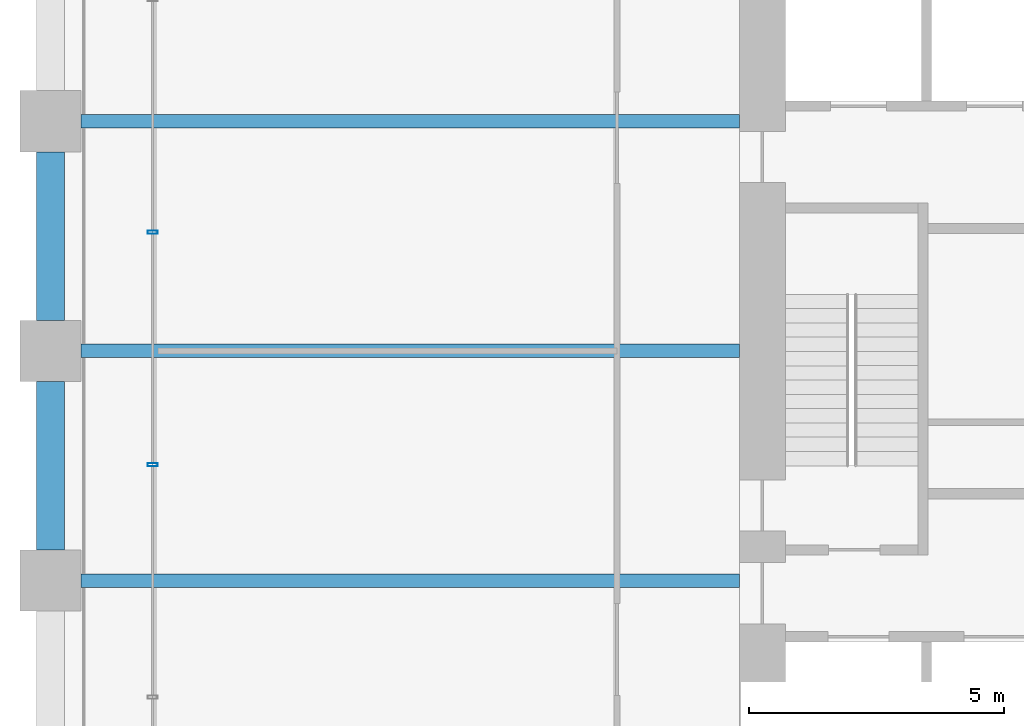
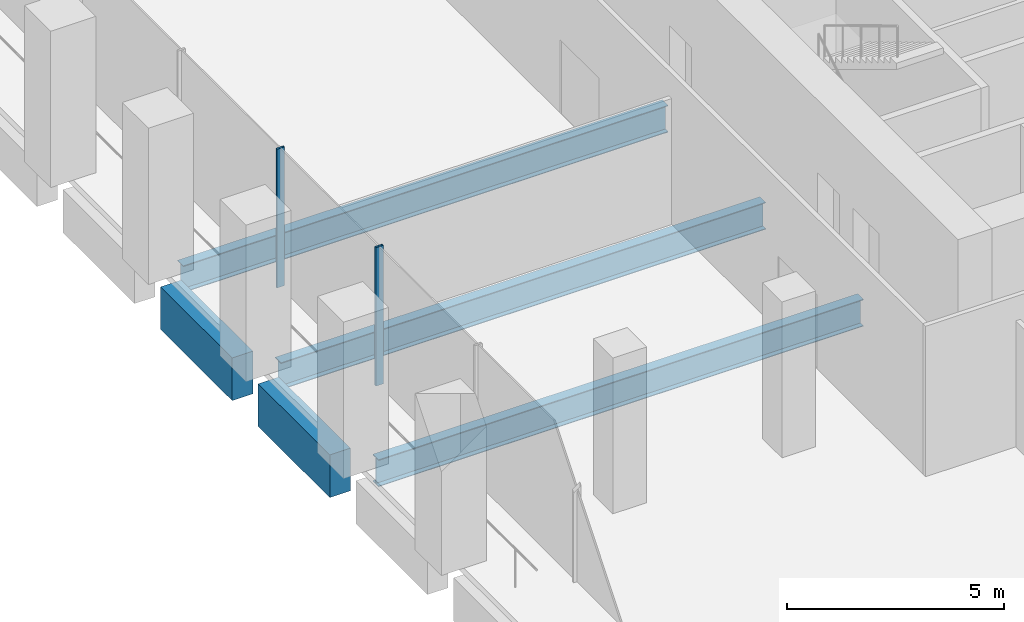
# One storey, part 7 of 36: 5 beams, 2 members, 1 element without a shape of its own.
"""IFC4 building model written with IfcOpenShell, lengths in metres."""

from ifc_helpers import new_model, si_unit, direction, frame, origin, origin_2d, place, context, subcontext, project, spatial, rectangle, hollow_rectangle, i_section, extrude, material, material_profile, profile_set, type_object, element, aggregate, save


model = new_model("IFC4")

# Units and contexts
model_context = context("Model", 3, precision=1e-05, world=origin(), true_north=direction((0.0, 1.0)))
body_context = subcontext(model_context, "Body", "Model", "MODEL_VIEW")
ifc_project = project(units=[si_unit("LENGTHUNIT", "METRE"), si_unit("AREAUNIT", "SQUARE_METRE"), si_unit("VOLUMEUNIT", "CUBIC_METRE"), si_unit("PLANEANGLEUNIT", "RADIAN"), si_unit("MASSUNIT", "GRAM", prefix="KILO")], contexts=[model_context])

# Site, building, storey
site_placement = place(None, origin())
site = spatial("IfcSite", under=ifc_project, at=site_placement, CompositionType="ELEMENT")
building_placement = place(site_placement, origin())
building = spatial("IfcBuilding", under=site, at=building_placement, Name="Altepetl Exchange Towers", CompositionType="ELEMENT")
storey_placement = place(building_placement, frame((0.0, 0.0, 43.0)))
storey = spatial("IfcBuildingStorey", under=building, at=storey_placement, Name="L09", CompositionType="ELEMENT", Elevation=43.0)

# Beams
ifc_material_1 = material(Name="Steel S355", Category="steel")
ifc_material_profile_1 = material_profile(ifc_material_1, i_section(OverallWidth=0.26611328125, OverallDepth=0.758056640625, WebThickness=0.013916015625, FlangeThickness=0.019287109375, at=origin_2d()), Name="W30X108")
ifc_profile_set_1 = profile_set([ifc_material_profile_1], Name="Steel S355")
beam_type_1 = type_object("IfcBeamType", Name="Floor beam W30X108", PredefinedType="BEAM", material=ifc_profile_set_1)
for number, where, z_axis, x_axis, name in (
    (1, (27.60009765625, 45.0, -0.553955078125), (1.0, 0.0, 0.0), (0.0, 1.0, 0.0), "bm:A:L09:018"),
    (2, (27.60009765625, 49.5, -0.553955078125), (1.0, 0.0, 0.0), (0.0, 1.0, 0.0), "bm:A:L09:019"),
    (3, (27.60009765625, 54.0, -0.553955078125), (1.0, 0.0, 0.0), (0.0, 1.0, 0.0), "bm:A:L09:020"),
):
    element("IfcBeam", number, at=place(storey_placement, frame(where, z_axis=z_axis, x_axis=x_axis)), inside=storey, type_object=beam_type_1, Name=name, PredefinedType="BEAM", context=body_context, shape_type="SweptSolid", body=[
        extrude(i_section(OverallWidth=0.26611328125, OverallDepth=0.758056640625, WebThickness=0.013916015625, FlangeThickness=0.019287109375, at=origin_2d()), origin(), (0.0, 0.0, 1.0), 12.89990234375),
    ])

# Curtain wall, members
ifc_material_2 = material(Name="Aluminium 6063-T6 glazing", Category="aluminium")
curtain_wall_type = type_object("IfcCurtainWallType", Name="Trading floor glazing system", PredefinedType="NOTDEFINED", material=ifc_material_2)
curtain_wall_placement = place(storey_placement, origin())
curtain_wall = element("IfcCurtainWall", 4, at=curtain_wall_placement, inside=storey, type_object=curtain_wall_type, Name="CW2 run", PredefinedType="NOTDEFINED")
ifc_material_3 = material(Name="Aluminium 6063-T6", Category="aluminium")
ifc_material_profile_2 = material_profile(ifc_material_3, hollow_rectangle(XDim=0.06005859375, YDim=0.199951171875, WallThickness=0.0029296875, at=origin_2d()), Name="Mullion 60x200 aluminium")
ifc_profile_set_2 = profile_set([ifc_material_profile_2], Name="Aluminium 6063-T6")
member_type = type_object("IfcMemberType", Name="Mullion 60x200 aluminium", PredefinedType="MULLION", material=ifc_profile_set_2)
member_1_placement = place(storey_placement, frame((29.0, 51.82861328125, 0.0), z_axis=(0.0, 0.0, 1.0), x_axis=(0.0, -1.0, 0.0)))
member_1 = element("IfcMember", 5, at=member_1_placement, type_object=member_type, Name="MU2 mullion", PredefinedType="MULLION", context=body_context, shape_type="SweptSolid", body=[
    extrude(hollow_rectangle(XDim=0.06005859375, YDim=0.199951171875, WallThickness=0.0029296875, at=origin_2d()), origin(), (0.0, 0.0, 1.0), 3.89990234375),
])
member_2_placement = place(storey_placement, frame((29.0, 47.271484375, 0.0), z_axis=(0.0, 0.0, 1.0), x_axis=(0.0, -1.0, 0.0)))
member_2 = element("IfcMember", 6, at=member_2_placement, type_object=member_type, Name="MU2 mullion", PredefinedType="MULLION", context=body_context, shape_type="SweptSolid", body=[
    extrude(hollow_rectangle(XDim=0.06005859375, YDim=0.199951171875, WallThickness=0.0029296875, at=origin_2d()), origin(), (0.0, 0.0, 1.0), 3.89990234375),
])
aggregate(curtain_wall, [member_1, member_2])

# Beams
ifc_material_4 = material(Name="Concrete C50/60 precast with tezontle facing", Category="concrete")
ifc_material_profile_3 = material_profile(ifc_material_4, rectangle(XDim=0.550048828125, YDim=1.199951171875, at=origin_2d()), Name="550 x 1200")
ifc_profile_set_3 = profile_set([ifc_material_profile_3], Name="Concrete C50/60 precast with tezontle facing")
beam_type_2 = type_object("IfcBeamType", Name="Spandrel beam 550x1200 tezontle", PredefinedType="SPANDREL", material=ifc_profile_set_3)
for number, where, z_axis, x_axis, name in (
    (7, (27.0, 53.39990234375, -0.77490234375), (0.0, -1.0, 0.0), (1.0, 0.0, 0.0), "sp:A:L09:039"),
    (8, (27.0, 48.89990234375, -0.77490234375), (0.0, -1.0, 0.0), (1.0, 0.0, 0.0), "sp:A:L09:040"),
):
    element("IfcBeam", number, at=place(storey_placement, frame(where, z_axis=z_axis, x_axis=x_axis)), inside=storey, type_object=beam_type_2, Name=name, PredefinedType="SPANDREL", context=body_context, shape_type="SweptSolid", body=[
        extrude(rectangle(XDim=0.550048828125, YDim=1.199951171875, at=origin_2d()), origin(), (0.0, 0.0, 1.0), 3.2998046875),
    ])

save(model, "model.ifc")
